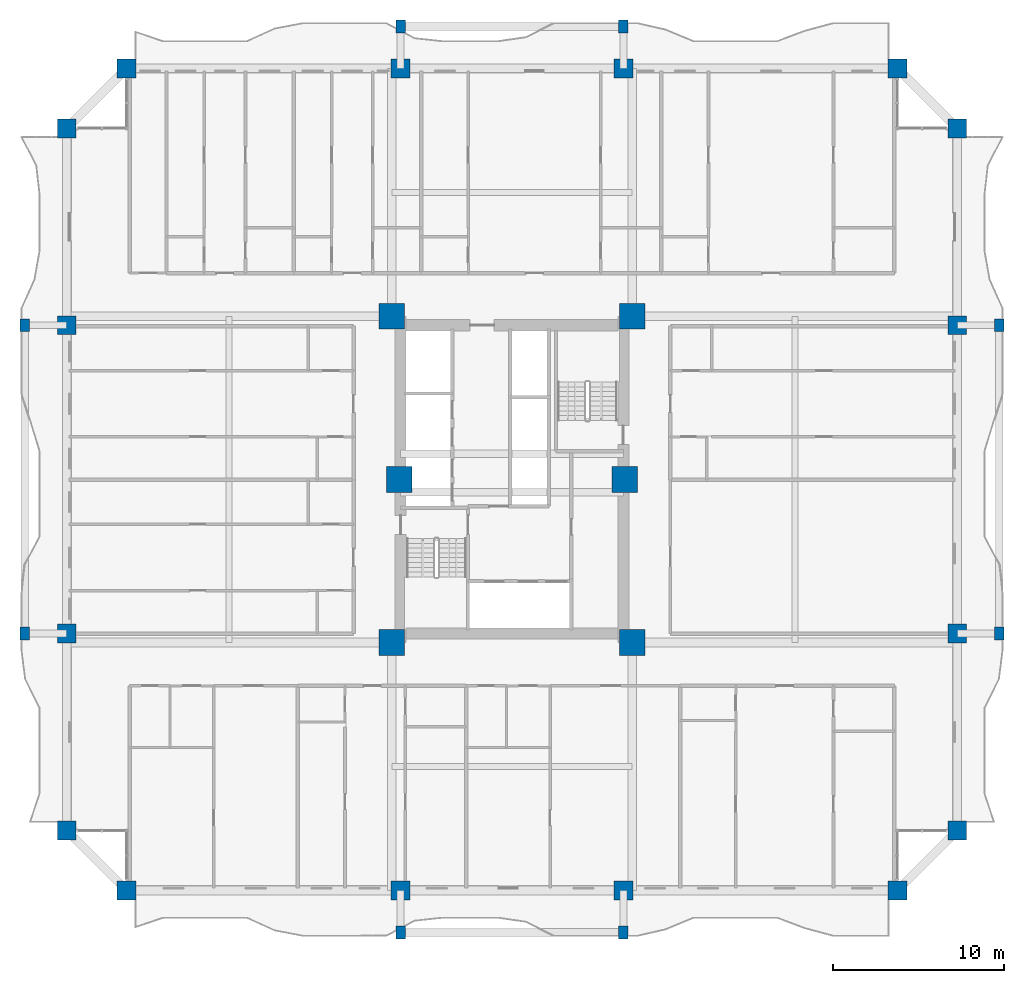
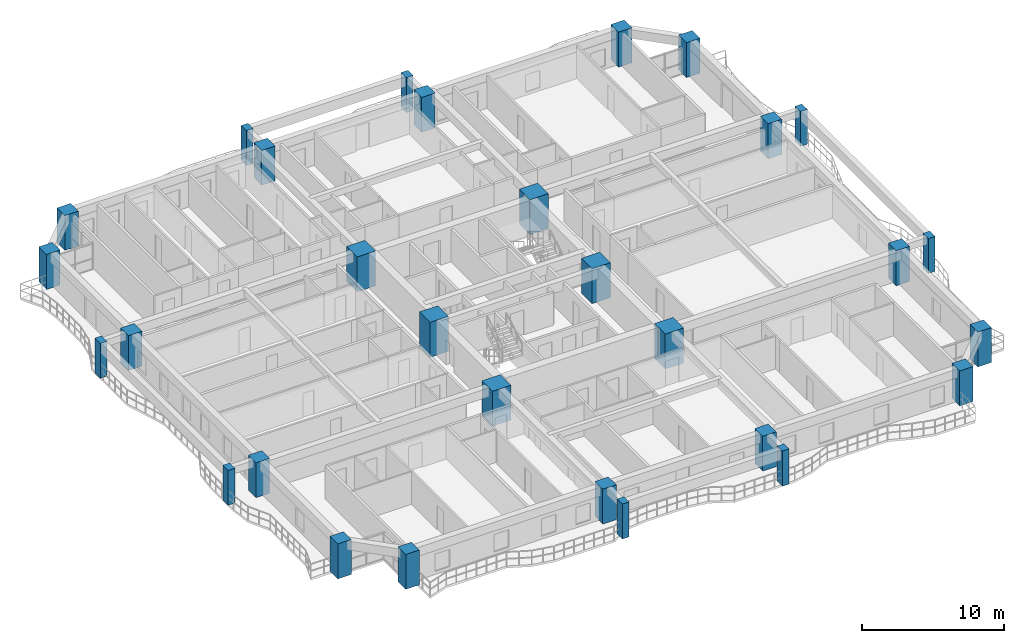
# One storey, part 1 of 27: 30 columns.
"""IFC4 building model written with IfcOpenShell, lengths in metres."""

from ifc_helpers import new_model, si_unit, direction, frame, origin, origin_2d, place, context, subcontext, project, spatial, rectangle, extrude, source, transform, mapped, material, material_profile, profile_set, type_object, element, save


model = new_model("IFC4")

# Units and contexts
model_context = context("Model", 3, precision=1e-05, world=origin(), true_north=direction((0.0, 1.0)))
body_context = subcontext(model_context, "Body", "Model", "MODEL_VIEW")
ifc_project = project(units=[si_unit("LENGTHUNIT", "METRE"), si_unit("AREAUNIT", "SQUARE_METRE"), si_unit("VOLUMEUNIT", "CUBIC_METRE"), si_unit("PLANEANGLEUNIT", "RADIAN"), si_unit("MASSUNIT", "GRAM", prefix="KILO")], contexts=[model_context])

# Site, building, storey
site_placement = place(None, origin())
site = spatial("IfcSite", under=ifc_project, at=site_placement, CompositionType="ELEMENT")
building_placement = place(site_placement, origin())
building = spatial("IfcBuilding", under=site, at=building_placement, Name="Saelheon Loggia Tower", CompositionType="ELEMENT")
storey_placement = place(building_placement, frame((0.0, 0.0, 52.39990234375)))
storey = spatial("IfcBuildingStorey", under=building, at=storey_placement, Name="L16", CompositionType="ELEMENT", Elevation=52.39990234375)

# Columns
ifc_material_1 = material(Name="Concrete C60/75", Category="concrete")
ifc_material_profile_1 = material_profile(ifc_material_1, rectangle(XDim=1.5, YDim=1.5, at=origin_2d()), Name="RC-1500x1500")
ifc_profile_set_1 = profile_set([ifc_material_profile_1], Name="Concrete C60/75")
column_type_1 = type_object("IfcColumnType", Name="Col_Core_RC1500", PredefinedType="COLUMN", material=ifc_profile_set_1)
shared_shape_1 = source(origin(), body_context, "Body", "SweptSolid", [
    extrude(rectangle(XDim=1.5, YDim=1.5, at=origin_2d()), origin(), (0.0, 0.0, 1.0), 3.0),
])
for number, where, z_axis, x_axis, name in (
    (1, (30.97998046875, 17.47998046875, 0.0), (0.0, 0.0, 1.0), (1.0, 0.0, 0.0), "L16 Core Column CR-SW"),
    (2, (45.02001953125, 17.47998046875, 0.0), (0.0, 0.0, 1.0), (1.0, 0.0, 0.0), "L16 Core Column CR-SE"),
    (3, (30.97998046875, 36.52001953125, 0.0), (0.0, 0.0, 1.0), (1.0, 0.0, 0.0), "L16 Core Column CR-NW"),
    (4, (45.02001953125, 36.52001953125, 0.0), (0.0, 0.0, 1.0), (1.0, 0.0, 0.0), "L16 Core Column CR-NE"),
    (5, (31.419921875, 27.0, 0.0), (0.0, 0.0, 1.0), (1.0, 0.0, 0.0), "L16 Core Column CR-MW"),
    (6, (44.580078125, 27.0, 0.0), (0.0, 0.0, 1.0), (1.0, 0.0, 0.0), "L16 Core Column CR-ME"),
):
    element("IfcColumn", number, at=place(storey_placement, frame(where, z_axis=z_axis, x_axis=x_axis)), inside=storey, type_object=column_type_1, Name=name, PredefinedType="COLUMN", context=body_context, shape_type="MappedRepresentation", body=[
        mapped(shared_shape_1, transform((0.0, 0.0, 0.0), scale=1.0)),
    ])
ifc_material_2 = material(Name="Concrete C50/60", Category="concrete")
ifc_material_profile_2 = material_profile(ifc_material_2, rectangle(XDim=1.10009765625, YDim=1.10009765625, at=origin_2d()), Name="RC-1100x1100")
ifc_profile_set_2 = profile_set([ifc_material_profile_2], Name="Concrete C50/60")
column_type_2 = type_object("IfcColumnType", Name="Col_PerimExt_RC1100", PredefinedType="COLUMN", material=ifc_profile_set_2)
shared_shape_2 = source(origin(), body_context, "Body", "SweptSolid", [
    extrude(rectangle(XDim=1.10009765625, YDim=1.10009765625, at=origin_2d()), origin(), (0.0, 0.0, 1.0), 3.0),
])
for number, where, z_axis, x_axis, name in (
    (7, (15.5, 3.0, 0.0), (0.0, 0.0, 1.0), (1.0, 0.0, 0.0), "L16 Perimeter Column TP-S1"),
    (8, (31.5, 3.0, 0.0), (0.0, 0.0, 1.0), (1.0, 0.0, 0.0), "L16 Perimeter Column TP-SA"),
    (9, (44.5, 3.0, 0.0), (0.0, 0.0, 1.0), (1.0, 0.0, 0.0), "L16 Perimeter Column TP-SB"),
    (10, (60.5, 3.0, 0.0), (0.0, 0.0, 1.0), (1.0, 0.0, 0.0), "L16 Perimeter Column TP-S2"),
    (11, (64.0, 6.5, 0.0), (0.0, 0.0, 1.0), (1.0, 0.0, 0.0), "L16 Perimeter Column TP-E1"),
    (12, (64.0, 18.0, 0.0), (0.0, 0.0, 1.0), (1.0, 0.0, 0.0), "L16 Perimeter Column TP-EA"),
    (13, (64.0, 36.0, 0.0), (0.0, 0.0, 1.0), (1.0, 0.0, 0.0), "L16 Perimeter Column TP-EB"),
    (14, (64.0, 47.5, 0.0), (0.0, 0.0, 1.0), (1.0, 0.0, 0.0), "L16 Perimeter Column TP-E2"),
    (15, (60.5, 51.0, 0.0), (0.0, 0.0, 1.0), (1.0, 0.0, 0.0), "L16 Perimeter Column TP-N2"),
    (16, (44.5, 51.0, 0.0), (0.0, 0.0, 1.0), (1.0, 0.0, 0.0), "L16 Perimeter Column TP-NB"),
    (17, (31.5, 51.0, 0.0), (0.0, 0.0, 1.0), (1.0, 0.0, 0.0), "L16 Perimeter Column TP-NA"),
    (18, (15.5, 51.0, 0.0), (0.0, 0.0, 1.0), (1.0, 0.0, 0.0), "L16 Perimeter Column TP-N1"),
    (19, (12.0, 47.5, 0.0), (0.0, 0.0, 1.0), (1.0, 0.0, 0.0), "L16 Perimeter Column TP-W2"),
    (20, (12.0, 36.0, 0.0), (0.0, 0.0, 1.0), (1.0, 0.0, 0.0), "L16 Perimeter Column TP-WB"),
    (21, (12.0, 18.0, 0.0), (0.0, 0.0, 1.0), (1.0, 0.0, 0.0), "L16 Perimeter Column TP-WA"),
    (22, (12.0, 6.5, 0.0), (0.0, 0.0, 1.0), (1.0, 0.0, 0.0), "L16 Perimeter Column TP-W1"),
):
    element("IfcColumn", number, at=place(storey_placement, frame(where, z_axis=z_axis, x_axis=x_axis)), inside=storey, type_object=column_type_2, Name=name, PredefinedType="COLUMN", context=body_context, shape_type="MappedRepresentation", body=[
        mapped(shared_shape_2, transform((0.0, 0.0, 0.0), scale=1.0)),
    ])
ifc_material_3 = material(Name="Precast Concrete C45/55", Category="concrete")
ifc_material_profile_3 = material_profile(ifc_material_3, rectangle(XDim=0.550048828125, YDim=0.75, at=origin_2d()), Name="RC-550x750")
ifc_profile_set_3 = profile_set([ifc_material_profile_3], Name="Precast Concrete C45/55")
column_type_3 = type_object("IfcColumnType", Name="Col_Loggia_Pilaster_750", PredefinedType="PILASTER", material=ifc_profile_set_3)
shared_shape_3 = source(origin(), body_context, "Body", "SweptSolid", [
    extrude(rectangle(XDim=0.550048828125, YDim=0.75, at=origin_2d()), origin(), (0.0, 0.0, 1.0), 3.0),
])
for number, where, z_axis, x_axis, name in (
    (23, (31.5, 0.550048828125, 0.0), (0.0, 0.0, 1.0), (1.0, 0.0, 0.0), "L16 Loggia Frame Pilaster LP-S1"),
    (24, (44.5, 0.550048828125, 0.0), (0.0, 0.0, 1.0), (1.0, 0.0, 0.0), "L16 Loggia Frame Pilaster LP-S2"),
    (25, (31.5, 53.449951171875, 0.0), (0.0, 0.0, 1.0), (1.0, 0.0, 0.0), "L16 Loggia Frame Pilaster LP-N1"),
    (26, (44.5, 53.449951171875, 0.0), (0.0, 0.0, 1.0), (1.0, 0.0, 0.0), "L16 Loggia Frame Pilaster LP-N2"),
    (27, (66.449951171875, 18.0, 0.0), (0.0, 0.0, 1.0), (1.0, 0.0, 0.0), "L16 Loggia Frame Pilaster LP-E1"),
    (28, (66.449951171875, 36.0, 0.0), (0.0, 0.0, 1.0), (1.0, 0.0, 0.0), "L16 Loggia Frame Pilaster LP-E2"),
    (29, (9.550048828125, 18.0, 0.0), (0.0, 0.0, 1.0), (1.0, 0.0, 0.0), "L16 Loggia Frame Pilaster LP-W1"),
    (30, (9.550048828125, 36.0, 0.0), (0.0, 0.0, 1.0), (1.0, 0.0, 0.0), "L16 Loggia Frame Pilaster LP-W2"),
):
    element("IfcColumn", number, at=place(storey_placement, frame(where, z_axis=z_axis, x_axis=x_axis)), inside=storey, type_object=column_type_3, Name=name, PredefinedType="PILASTER", context=body_context, shape_type="MappedRepresentation", body=[
        mapped(shared_shape_3, transform((0.0, 0.0, 0.0), scale=1.0)),
    ])

save(model, "model.ifc")
